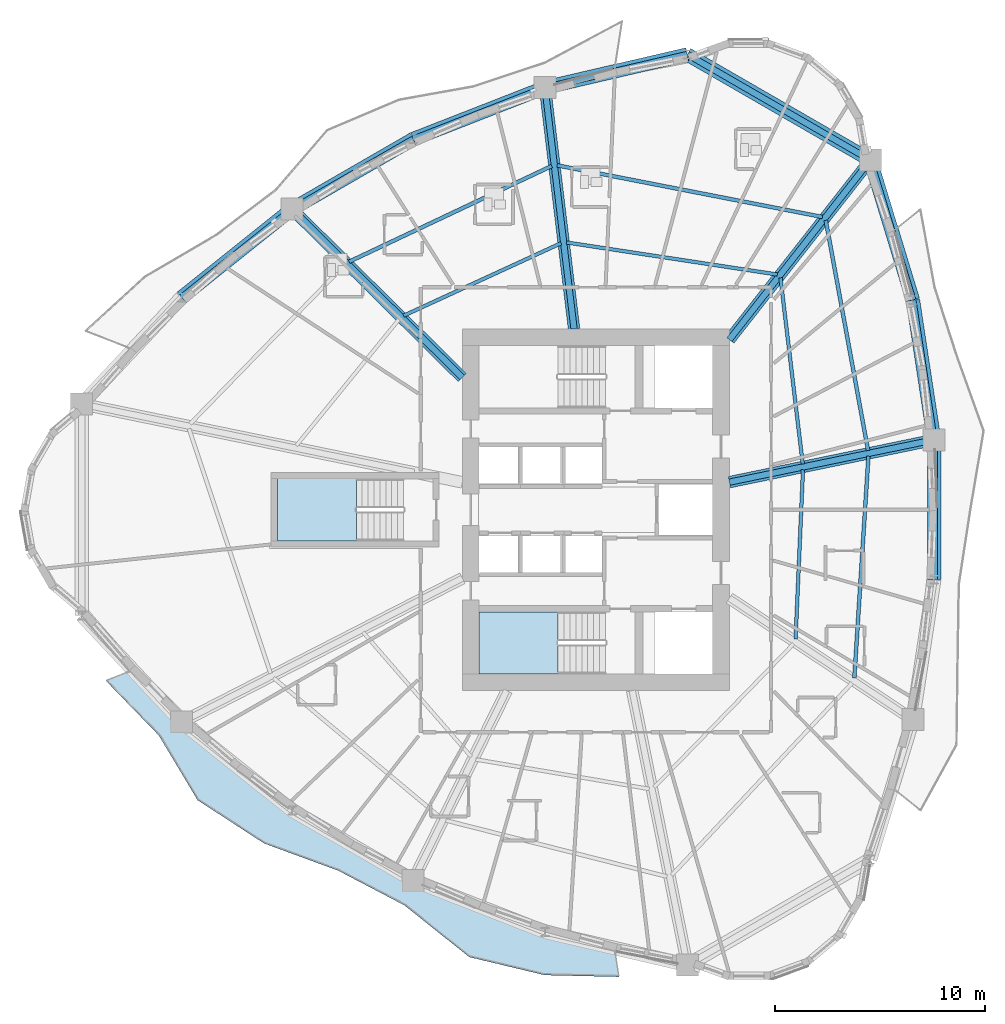
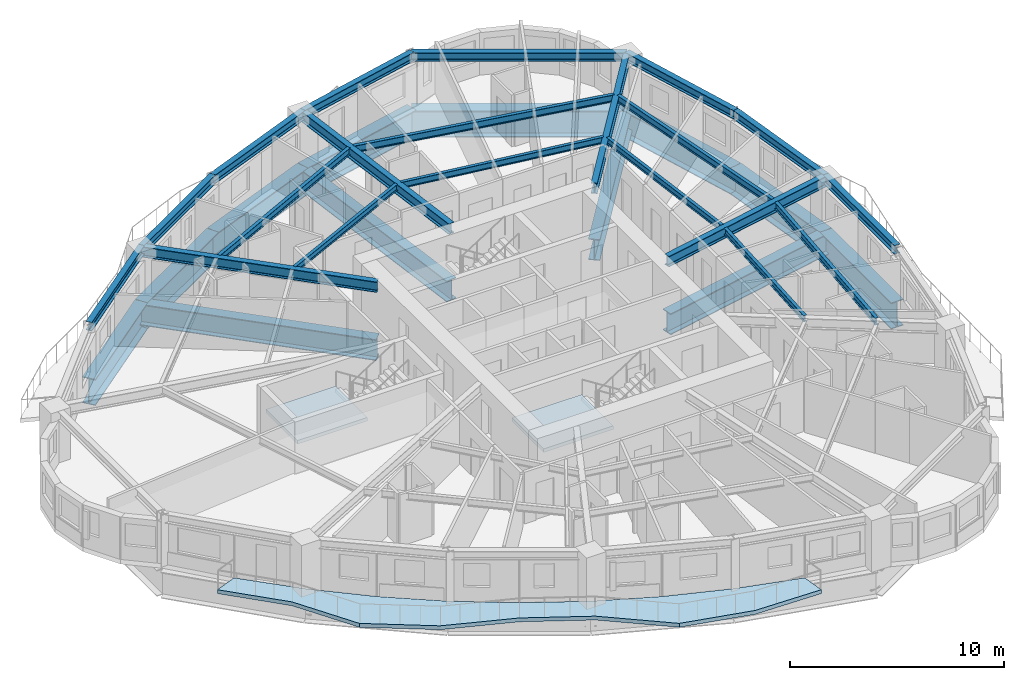
# One storey, part 2 of 14: 32 beams, 3 slabs, 2 elements without a shape of their own.
"""IFC4 building model written with IfcOpenShell, lengths in metres."""

from ifc_helpers import new_model, si_unit, direction, frame, origin, origin_2d, place, context, subcontext, project, spatial, polyline, i_section, outline, extrude, source, transform, mapped, material, layer, layer_set, material_profile, profile_set, type_object, element, aggregate, save


model = new_model("IFC4")

# Units and contexts
model_context = context("Model", 3, precision=1e-05, world=origin(), true_north=direction((0.0, 1.0)))
body_context = subcontext(model_context, "Body", "Model", "MODEL_VIEW")
ifc_project = project(units=[si_unit("LENGTHUNIT", "METRE"), si_unit("AREAUNIT", "SQUARE_METRE"), si_unit("VOLUMEUNIT", "CUBIC_METRE"), si_unit("PLANEANGLEUNIT", "RADIAN"), si_unit("MASSUNIT", "GRAM", prefix="KILO")], contexts=[model_context])

# Site, building, storey
site_placement = place(None, origin())
site = spatial("IfcSite", under=ifc_project, at=site_placement, CompositionType="ELEMENT")
building_placement = place(site_placement, origin())
building = spatial("IfcBuilding", under=site, at=building_placement, Name="Qafzar Sky-Pleat Residences", CompositionType="ELEMENT")
storey_placement = place(building_placement, frame((0.0, 0.0, 7.800048828125)))
storey = spatial("IfcBuildingStorey", under=building, at=storey_placement, Name="L01", CompositionType="ELEMENT", Elevation=7.800048828125)

# Beams
ifc_material_1 = material(Name="Steel S460", Category="steel")
ifc_material_profile_1 = material_profile(ifc_material_1, i_section(OverallWidth=0.64990234375, OverallDepth=1.5, WebThickness=0.031982421875, FlangeThickness=0.050048828125, at=origin_2d()), Name="PG 1500x650x50")
ifc_profile_set_1 = profile_set([ifc_material_profile_1], Name="Steel S460")
beam_type_1 = type_object("IfcBeamType", Name="BM-XFER-PG1500", PredefinedType="BEAM", material=ifc_profile_set_1)
shared_shape_1 = source(origin(), body_context, "Body", "SweptSolid", [
    extrude(i_section(OverallWidth=0.64990234375, OverallDepth=1.5, WebThickness=0.031982421875, FlangeThickness=0.050048828125, at=origin_2d()), origin(), (0.0, 0.0, 1.0), 10.0458984375),
])
beam_1_placement = place(storey_placement, frame((43.39990234375, 42.627685546875, -1.010009765625), z_axis=(-0.866024107753, 0.500002244785, 0.0), x_axis=(-0.500002244785, -0.866024107753, 0.0)))
element("IfcBeam", 1, at=beam_1_placement, inside=storey, type_object=beam_type_1, Name="L01 Perimeter Transfer Ring Girder 13", PredefinedType="BEAM", context=body_context, shape_type="MappedRepresentation", body=[
    mapped(shared_shape_1, transform((0.0, 0.0, 0.0), x_axis=(1.0, 0.0, 0.0), y_axis=(0.0, 1.0, 0.0), z_axis=(0.0, 0.0, 1.0), scale=1.0)),
])
shared_shape_2 = source(origin(), body_context, "Body", "SweptSolid", [
    extrude(i_section(OverallWidth=0.64990234375, OverallDepth=1.5, WebThickness=0.031982421875, FlangeThickness=0.050048828125, at=origin_2d()), origin(), (0.0, 0.0, 1.0), 6.95166015625),
])
for number, where, z_axis, x_axis, name in (
    (2, (45.421875, 35.9765625, -1.010009765625), (-0.290861139852, 0.956765278072, 0.0), (-0.956765278072, -0.290861139852, 0.0), "L01 Perimeter Transfer Ring Girder 12"),
    (3, (34.699951171875, 47.650634765625, -1.010009765625), (-0.974013973113, -0.226487925024, 0.0), (0.226487925024, -0.974013973113, 0.0), "L01 Perimeter Transfer Ring Girder 14"),
):
    element("IfcBeam", number, at=place(storey_placement, frame(where, z_axis=z_axis, x_axis=x_axis)), inside=storey, type_object=beam_type_1, Name=name, PredefinedType="BEAM", context=body_context, shape_type="MappedRepresentation", body=[
        mapped(shared_shape_2, transform((0.0, 0.0, 0.0), x_axis=(1.0, 0.0, 0.0), y_axis=(0.0, 1.0, 0.0), z_axis=(0.0, 0.0, 1.0), scale=1.0)),
    ])
shared_shape_3 = source(origin(), body_context, "Body", "SweptSolid", [
    extrude(i_section(OverallWidth=0.64990234375, OverallDepth=1.5, WebThickness=0.031982421875, FlangeThickness=0.050048828125, at=origin_2d()), origin(), (0.0, 0.0, 1.0), 6.7275390625),
])
for number, where, z_axis, x_axis, name in (
    (4, (46.432861328125, 29.325439453125, -1.010009765625), (-0.150276218199, 0.988644050325, 0.0), (-0.988644050325, -0.150276218199, 0.0), "L01 Perimeter Transfer Ring Girder 11"),
    (5, (15.903564453125, 40.300537109375, -1.010009765625), (-0.781070576736, -0.624442754908, 0.0), (0.624442754908, -0.781070576736, 0.0), "L01 Perimeter Transfer Ring Girder 17"),
):
    element("IfcBeam", number, at=place(storey_placement, frame(where, z_axis=z_axis, x_axis=x_axis)), inside=storey, type_object=beam_type_1, Name=name, PredefinedType="BEAM", context=body_context, shape_type="MappedRepresentation", body=[
        mapped(shared_shape_3, transform((0.0, 0.0, 0.0), x_axis=(1.0, 0.0, 0.0), y_axis=(0.0, 1.0, 0.0), z_axis=(0.0, 0.0, 1.0), scale=1.0)),
    ])
shared_shape_4 = source(origin(), body_context, "Body", "SweptSolid", [
    extrude(i_section(OverallWidth=0.64990234375, OverallDepth=1.5, WebThickness=0.031982421875, FlangeThickness=0.050048828125, at=origin_2d()), origin(), (0.0, 0.0, 1.0), 6.651123046875),
])
beam_2_placement = place(storey_placement, frame((21.66357421875, 43.626220703125, -1.010009765625), z_axis=(-0.866016262799, -0.500015832317, 0.0), x_axis=(0.500015832317, -0.866016262799, 0.0)))
element("IfcBeam", 6, at=beam_2_placement, inside=storey, type_object=beam_type_1, Name="L01 Perimeter Transfer Ring Girder 16", PredefinedType="BEAM", context=body_context, shape_type="MappedRepresentation", body=[
    mapped(shared_shape_4, transform((0.0, 0.0, 0.0), x_axis=(1.0, 0.0, 0.0), y_axis=(0.0, 1.0, 0.0), z_axis=(0.0, 0.0, 1.0), scale=1.0)),
])
shared_shape_5 = source(origin(), body_context, "Body", "SweptSolid", [
    extrude(i_section(OverallWidth=0.64990234375, OverallDepth=1.5, WebThickness=0.031982421875, FlangeThickness=0.050048828125, at=origin_2d()), origin(), (0.0, 0.0, 1.0), 6.727294921875),
])
beam_3_placement = place(storey_placement, frame((27.928955078125, 46.076171875, -1.010009765625), z_axis=(-0.931329494162, -0.364177667222, 0.0), x_axis=(0.364177667222, -0.931329494162, 0.0)))
element("IfcBeam", 7, at=beam_3_placement, inside=storey, type_object=beam_type_1, Name="L01 Perimeter Transfer Ring Girder 15", PredefinedType="BEAM", context=body_context, shape_type="MappedRepresentation", body=[
    mapped(shared_shape_5, transform((0.0, 0.0, 0.0), x_axis=(1.0, 0.0, 0.0), y_axis=(0.0, 1.0, 0.0), z_axis=(0.0, 0.0, 1.0), scale=1.0)),
])
shared_shape_6 = source(origin(), body_context, "Body", "SweptSolid", [
    extrude(i_section(OverallWidth=0.64990234375, OverallDepth=1.5, WebThickness=0.031982421875, FlangeThickness=0.050048828125, at=origin_2d()), origin(), (0.0, 0.0, 1.0), 6.65087890625),
])
beam_4_placement = place(storey_placement, frame((46.432861328125, 22.674560546875, -1.010009765625), z_axis=(0.0, 1.0, 0.0), x_axis=(-1.0, 0.0, 0.0)))
element("IfcBeam", 8, at=beam_4_placement, inside=storey, type_object=beam_type_1, Name="L01 Perimeter Transfer Ring Girder 10", PredefinedType="BEAM", context=body_context, shape_type="MappedRepresentation", body=[
    mapped(shared_shape_6, transform((0.0, 0.0, 0.0), x_axis=(1.0, 0.0, 0.0), y_axis=(0.0, 1.0, 0.0), z_axis=(0.0, 0.0, 1.0), scale=1.0)),
])
ifc_material_profile_2 = material_profile(ifc_material_1, i_section(OverallWidth=0.550048828125, OverallDepth=1.199951171875, WebThickness=0.028076171875, FlangeThickness=0.044921875, at=origin_2d()), Name="PG 1200x550x45")
ifc_profile_set_2 = profile_set([ifc_material_profile_2], Name="Steel S460")
beam_type_2 = type_object("IfcBeamType", Name="BM-XFER-PG1200", PredefinedType="BEAM", material=ifc_profile_set_2)
shared_shape_7 = source(origin(), body_context, "Body", "SweptSolid", [
    extrude(i_section(OverallWidth=0.550048828125, OverallDepth=1.199951171875, WebThickness=0.028076171875, FlangeThickness=0.044921875, at=origin_2d()), origin(), (0.0, 0.0, 1.0), 9.938720703125),
])
beam_5_placement = place(storey_placement, frame((46.432861328125, 29.325439453125, -0.860107421875), z_axis=(-0.979285452618, -0.202484572968, 0.0), x_axis=(0.202484572968, -0.979285452618, 0.0)))
element("IfcBeam", 9, at=beam_5_placement, inside=storey, type_object=beam_type_2, Name="L01 Radial Transfer Girder 6", PredefinedType="BEAM", context=body_context, shape_type="MappedRepresentation", body=[
    mapped(shared_shape_7, transform((0.0, 0.0, 0.0), x_axis=(1.0, 0.0, 0.0), y_axis=(0.0, 1.0, 0.0), z_axis=(0.0, 0.0, 1.0), scale=1.0)),
])
shared_shape_8 = source(origin(), body_context, "Body", "SweptSolid", [
    extrude(i_section(OverallWidth=0.550048828125, OverallDepth=1.199951171875, WebThickness=0.028076171875, FlangeThickness=0.044921875, at=origin_2d()), origin(), (0.0, 0.0, 1.0), 10.85205078125),
])
beam_6_placement = place(storey_placement, frame((43.39990234375, 42.627685546875, -0.860107421875), z_axis=(-0.617389257857, -0.786657806344, 0.0), x_axis=(0.786657806344, -0.617389257857, 0.0)))
element("IfcBeam", 10, at=beam_6_placement, inside=storey, type_object=beam_type_2, Name="L01 Radial Transfer Girder 7", PredefinedType="BEAM", context=body_context, shape_type="MappedRepresentation", body=[
    mapped(shared_shape_8, transform((0.0, 0.0, 0.0), x_axis=(1.0, 0.0, 0.0), y_axis=(0.0, 1.0, 0.0), z_axis=(0.0, 0.0, 1.0), scale=1.0)),
])
shared_shape_9 = source(origin(), body_context, "Body", "SweptSolid", [
    extrude(i_section(OverallWidth=0.550048828125, OverallDepth=1.199951171875, WebThickness=0.028076171875, FlangeThickness=0.044921875, at=origin_2d()), origin(), (0.0, 0.0, 1.0), 11.559326171875),
])
beam_7_placement = place(storey_placement, frame((27.928955078125, 46.076171875, -0.860107421875), z_axis=(0.119734017919, -0.992806005699, 0.0), x_axis=(0.992806005699, 0.119734017919, 0.0)))
element("IfcBeam", 11, at=beam_7_placement, inside=storey, type_object=beam_type_2, Name="L01 Radial Transfer Girder 8", PredefinedType="BEAM", context=body_context, shape_type="MappedRepresentation", body=[
    mapped(shared_shape_9, transform((0.0, 0.0, 0.0), x_axis=(1.0, 0.0, 0.0), y_axis=(0.0, 1.0, 0.0), z_axis=(0.0, 0.0, 1.0), scale=1.0)),
])
shared_shape_10 = source(origin(), body_context, "Body", "SweptSolid", [
    extrude(i_section(OverallWidth=0.550048828125, OverallDepth=1.199951171875, WebThickness=0.028076171875, FlangeThickness=0.044921875, at=origin_2d()), origin(), (0.0, 0.0, 1.0), 11.392333984375),
])
beam_8_placement = place(storey_placement, frame((15.903564453125, 40.300537109375, -0.860107421875), z_axis=(0.71068721601, -0.703508124331, 0.0), x_axis=(0.703508124331, 0.71068721601, 0.0)))
element("IfcBeam", 12, at=beam_8_placement, inside=storey, type_object=beam_type_2, Name="L01 Radial Transfer Girder 9", PredefinedType="BEAM", context=body_context, shape_type="MappedRepresentation", body=[
    mapped(shared_shape_10, transform((0.0, 0.0, 0.0), x_axis=(1.0, 0.0, 0.0), y_axis=(0.0, 1.0, 0.0), z_axis=(0.0, 0.0, 1.0), scale=1.0)),
])
ifc_material_2 = material(Name="Steel S355", Category="steel")
ifc_material_profile_3 = material_profile(ifc_material_2, i_section(OverallWidth=0.300048828125, OverallDepth=0.5, WebThickness=0.014404296875, FlangeThickness=0.028076171875, FilletRadius=0.027099609375, at=origin_2d()), Name="HEB 500")
ifc_profile_set_3 = profile_set([ifc_material_profile_3], Name="Steel S355")
beam_type_3 = type_object("IfcBeamType", Name="BM-SPAN-HEB500", PredefinedType="SPANDREL", material=ifc_profile_set_3)
shared_shape_11 = source(origin(), body_context, "Body", "SweptSolid", [
    extrude(i_section(OverallWidth=0.300048828125, OverallDepth=0.5, WebThickness=0.014404296875, FlangeThickness=0.028076171875, FilletRadius=0.027099609375, at=origin_2d()), origin(), (0.0, 0.0, 1.0), 10.0458984375),
])
beam_9_placement = place(storey_placement, frame((43.39990234375, 42.627685546875, 2.68798828125), z_axis=(-0.866024107753, 0.500002244785, 0.0), x_axis=(-0.500002244785, -0.866024107753, 0.0)))
element("IfcBeam", 13, at=beam_9_placement, inside=storey, type_object=beam_type_3, Name="L01 Perimeter Spandrel Beam 13", PredefinedType="SPANDREL", context=body_context, shape_type="MappedRepresentation", body=[
    mapped(shared_shape_11, transform((0.0, 0.0, 0.0), x_axis=(1.0, 0.0, 0.0), y_axis=(0.0, 1.0, 0.0), z_axis=(0.0, 0.0, 1.0), scale=1.0)),
])
shared_shape_12 = source(origin(), body_context, "Body", "SweptSolid", [
    extrude(i_section(OverallWidth=0.300048828125, OverallDepth=0.5, WebThickness=0.014404296875, FlangeThickness=0.028076171875, FilletRadius=0.027099609375, at=origin_2d()), origin(), (0.0, 0.0, 1.0), 6.95166015625),
])
for number, where, z_axis, x_axis, name in (
    (14, (45.421875, 35.9765625, 2.68798828125), (-0.290861139852, 0.956765278072, 0.0), (-0.956765278072, -0.290861139852, 0.0), "L01 Perimeter Spandrel Beam 12"),
    (15, (34.699951171875, 47.650634765625, 2.68798828125), (-0.974013973113, -0.226487925024, 0.0), (0.226487925024, -0.974013973113, 0.0), "L01 Perimeter Spandrel Beam 14"),
):
    element("IfcBeam", number, at=place(storey_placement, frame(where, z_axis=z_axis, x_axis=x_axis)), inside=storey, type_object=beam_type_3, Name=name, PredefinedType="SPANDREL", context=body_context, shape_type="MappedRepresentation", body=[
        mapped(shared_shape_12, transform((0.0, 0.0, 0.0), x_axis=(1.0, 0.0, 0.0), y_axis=(0.0, 1.0, 0.0), z_axis=(0.0, 0.0, 1.0), scale=1.0)),
    ])
shared_shape_13 = source(origin(), body_context, "Body", "SweptSolid", [
    extrude(i_section(OverallWidth=0.300048828125, OverallDepth=0.5, WebThickness=0.014404296875, FlangeThickness=0.028076171875, FilletRadius=0.027099609375, at=origin_2d()), origin(), (0.0, 0.0, 1.0), 6.7275390625),
])
for number, where, z_axis, x_axis, name in (
    (16, (46.432861328125, 29.325439453125, 2.68798828125), (-0.150276218199, 0.988644050325, 0.0), (-0.988644050325, -0.150276218199, 0.0), "L01 Perimeter Spandrel Beam 11"),
    (17, (15.903564453125, 40.300537109375, 2.68798828125), (-0.781070576736, -0.624442754908, 0.0), (0.624442754908, -0.781070576736, 0.0), "L01 Perimeter Spandrel Beam 17"),
):
    element("IfcBeam", number, at=place(storey_placement, frame(where, z_axis=z_axis, x_axis=x_axis)), inside=storey, type_object=beam_type_3, Name=name, PredefinedType="SPANDREL", context=body_context, shape_type="MappedRepresentation", body=[
        mapped(shared_shape_13, transform((0.0, 0.0, 0.0), x_axis=(1.0, 0.0, 0.0), y_axis=(0.0, 1.0, 0.0), z_axis=(0.0, 0.0, 1.0), scale=1.0)),
    ])
shared_shape_14 = source(origin(), body_context, "Body", "SweptSolid", [
    extrude(i_section(OverallWidth=0.300048828125, OverallDepth=0.5, WebThickness=0.014404296875, FlangeThickness=0.028076171875, FilletRadius=0.027099609375, at=origin_2d()), origin(), (0.0, 0.0, 1.0), 6.651123046875),
])
beam_10_placement = place(storey_placement, frame((21.66357421875, 43.626220703125, 2.68798828125), z_axis=(-0.866016262799, -0.500015832317, 0.0), x_axis=(0.500015832317, -0.866016262799, 0.0)))
element("IfcBeam", 18, at=beam_10_placement, inside=storey, type_object=beam_type_3, Name="L01 Perimeter Spandrel Beam 16", PredefinedType="SPANDREL", context=body_context, shape_type="MappedRepresentation", body=[
    mapped(shared_shape_14, transform((0.0, 0.0, 0.0), x_axis=(1.0, 0.0, 0.0), y_axis=(0.0, 1.0, 0.0), z_axis=(0.0, 0.0, 1.0), scale=1.0)),
])
shared_shape_15 = source(origin(), body_context, "Body", "SweptSolid", [
    extrude(i_section(OverallWidth=0.300048828125, OverallDepth=0.5, WebThickness=0.014404296875, FlangeThickness=0.028076171875, FilletRadius=0.027099609375, at=origin_2d()), origin(), (0.0, 0.0, 1.0), 6.727294921875),
])
beam_11_placement = place(storey_placement, frame((27.928955078125, 46.076171875, 2.68798828125), z_axis=(-0.931329494162, -0.364177667222, 0.0), x_axis=(0.364177667222, -0.931329494162, 0.0)))
element("IfcBeam", 19, at=beam_11_placement, inside=storey, type_object=beam_type_3, Name="L01 Perimeter Spandrel Beam 15", PredefinedType="SPANDREL", context=body_context, shape_type="MappedRepresentation", body=[
    mapped(shared_shape_15, transform((0.0, 0.0, 0.0), x_axis=(1.0, 0.0, 0.0), y_axis=(0.0, 1.0, 0.0), z_axis=(0.0, 0.0, 1.0), scale=1.0)),
])
shared_shape_16 = source(origin(), body_context, "Body", "SweptSolid", [
    extrude(i_section(OverallWidth=0.300048828125, OverallDepth=0.5, WebThickness=0.014404296875, FlangeThickness=0.028076171875, FilletRadius=0.027099609375, at=origin_2d()), origin(), (0.0, 0.0, 1.0), 6.65087890625),
])
beam_12_placement = place(storey_placement, frame((46.432861328125, 22.674560546875, 2.68798828125), z_axis=(0.0, 1.0, 0.0), x_axis=(-1.0, 0.0, 0.0)))
element("IfcBeam", 20, at=beam_12_placement, inside=storey, type_object=beam_type_3, Name="L01 Perimeter Spandrel Beam 10", PredefinedType="SPANDREL", context=body_context, shape_type="MappedRepresentation", body=[
    mapped(shared_shape_16, transform((0.0, 0.0, 0.0), x_axis=(1.0, 0.0, 0.0), y_axis=(0.0, 1.0, 0.0), z_axis=(0.0, 0.0, 1.0), scale=1.0)),
])
ifc_material_profile_4 = material_profile(ifc_material_2, i_section(OverallWidth=0.300048828125, OverallDepth=0.60009765625, WebThickness=0.015380859375, FlangeThickness=0.030029296875, FilletRadius=0.027099609375, at=origin_2d()), Name="HEB 600")
ifc_profile_set_4 = profile_set([ifc_material_profile_4], Name="Steel S355")
beam_type_4 = type_object("IfcBeamType", Name="BM-GIRD-HEB600", PredefinedType="BEAM", material=ifc_profile_set_4)
shared_shape_17 = source(origin(), body_context, "Body", "SweptSolid", [
    extrude(i_section(OverallWidth=0.300048828125, OverallDepth=0.60009765625, WebThickness=0.015380859375, FlangeThickness=0.030029296875, FilletRadius=0.027099609375, at=origin_2d()), origin(), (0.0, 0.0, 1.0), 9.938720703125),
])
beam_13_placement = place(storey_placement, frame((46.432861328125, 29.325439453125, 2.637939453125), z_axis=(-0.979285452618, -0.202484572968, 0.0), x_axis=(0.202484572968, -0.979285452618, 0.0)))
element("IfcBeam", 21, at=beam_13_placement, inside=storey, type_object=beam_type_4, Name="L01 Radial Floor Girder 11", PredefinedType="BEAM", context=body_context, shape_type="MappedRepresentation", body=[
    mapped(shared_shape_17, transform((0.0, 0.0, 0.0), x_axis=(1.0, 0.0, 0.0), y_axis=(0.0, 1.0, 0.0), z_axis=(0.0, 0.0, 1.0), scale=1.0)),
])
shared_shape_18 = source(origin(), body_context, "Body", "SweptSolid", [
    extrude(i_section(OverallWidth=0.300048828125, OverallDepth=0.60009765625, WebThickness=0.015380859375, FlangeThickness=0.030029296875, FilletRadius=0.027099609375, at=origin_2d()), origin(), (0.0, 0.0, 1.0), 10.85205078125),
])
beam_14_placement = place(storey_placement, frame((43.39990234375, 42.627685546875, 2.637939453125), z_axis=(-0.617389257857, -0.786657806344, 0.0), x_axis=(0.786657806344, -0.617389257857, 0.0)))
element("IfcBeam", 22, at=beam_14_placement, inside=storey, type_object=beam_type_4, Name="L01 Radial Floor Girder 13", PredefinedType="BEAM", context=body_context, shape_type="MappedRepresentation", body=[
    mapped(shared_shape_18, transform((0.0, 0.0, 0.0), x_axis=(1.0, 0.0, 0.0), y_axis=(0.0, 1.0, 0.0), z_axis=(0.0, 0.0, 1.0), scale=1.0)),
])
shared_shape_19 = source(origin(), body_context, "Body", "SweptSolid", [
    extrude(i_section(OverallWidth=0.300048828125, OverallDepth=0.60009765625, WebThickness=0.015380859375, FlangeThickness=0.030029296875, FilletRadius=0.027099609375, at=origin_2d()), origin(), (0.0, 0.0, 1.0), 11.559326171875),
])
beam_15_placement = place(storey_placement, frame((27.928955078125, 46.076171875, 2.637939453125), z_axis=(0.119734017919, -0.992806005699, 0.0), x_axis=(0.992806005699, 0.119734017919, 0.0)))
element("IfcBeam", 23, at=beam_15_placement, inside=storey, type_object=beam_type_4, Name="L01 Radial Floor Girder 15", PredefinedType="BEAM", context=body_context, shape_type="MappedRepresentation", body=[
    mapped(shared_shape_19, transform((0.0, 0.0, 0.0), x_axis=(1.0, 0.0, 0.0), y_axis=(0.0, 1.0, 0.0), z_axis=(0.0, 0.0, 1.0), scale=1.0)),
])
shared_shape_20 = source(origin(), body_context, "Body", "SweptSolid", [
    extrude(i_section(OverallWidth=0.300048828125, OverallDepth=0.60009765625, WebThickness=0.015380859375, FlangeThickness=0.030029296875, FilletRadius=0.027099609375, at=origin_2d()), origin(), (0.0, 0.0, 1.0), 11.392333984375),
])
beam_16_placement = place(storey_placement, frame((15.903564453125, 40.300537109375, 2.637939453125), z_axis=(0.71068721601, -0.703508124331, 0.0), x_axis=(0.703508124331, 0.71068721601, 0.0)))
element("IfcBeam", 24, at=beam_16_placement, inside=storey, type_object=beam_type_4, Name="L01 Radial Floor Girder 17", PredefinedType="BEAM", context=body_context, shape_type="MappedRepresentation", body=[
    mapped(shared_shape_20, transform((0.0, 0.0, 0.0), x_axis=(1.0, 0.0, 0.0), y_axis=(0.0, 1.0, 0.0), z_axis=(0.0, 0.0, 1.0), scale=1.0)),
])
ifc_material_profile_5 = material_profile(ifc_material_2, i_section(OverallWidth=0.179931640625, OverallDepth=0.39990234375, WebThickness=0.008544921875, FlangeThickness=0.013427734375, FilletRadius=0.02099609375, at=origin_2d()), Name="IPE 400")
ifc_profile_set_5 = profile_set([ifc_material_profile_5], Name="Steel S355")
beam_type_5 = type_object("IfcBeamType", Name="BM-JST-IPE400", PredefinedType="JOIST", material=ifc_profile_set_5)
shared_shape_21 = source(origin(), body_context, "Body", "SweptSolid", [
    extrude(i_section(OverallWidth=0.179931640625, OverallDepth=0.39990234375, WebThickness=0.008544921875, FlangeThickness=0.013427734375, FilletRadius=0.02099609375, at=origin_2d()), origin(), (0.0, 0.0, 1.0), 10.5625),
])
beam_17_placement = place(storey_placement, frame((42.639404296875, 18.005615234375, 2.738037109375), z_axis=(0.063470442406, 0.997983718775, 0.0), x_axis=(-0.997983718775, 0.063470442406, 0.0)))
element("IfcBeam", 25, at=beam_17_placement, inside=storey, type_object=beam_type_5, Name="L01 Outer Secondary Floor Joist 5", PredefinedType="JOIST", context=body_context, shape_type="MappedRepresentation", body=[
    mapped(shared_shape_21, transform((0.0, 0.0, 0.0), x_axis=(1.0, 0.0, 0.0), y_axis=(0.0, 1.0, 0.0), z_axis=(0.0, 0.0, 1.0), scale=1.0)),
])
shared_shape_22 = source(origin(), body_context, "Body", "SweptSolid", [
    extrude(i_section(OverallWidth=0.179931640625, OverallDepth=0.39990234375, WebThickness=0.008544921875, FlangeThickness=0.013427734375, FilletRadius=0.02099609375, at=origin_2d()), origin(), (0.0, 0.0, 1.0), 11.132568359375),
])
beam_18_placement = place(storey_placement, frame((43.2939453125, 28.814208984375, 2.738037109375), z_axis=(-0.180859333008, 0.98350897386, 0.0), x_axis=(-0.98350897386, -0.180859333008, 0.0)))
element("IfcBeam", 26, at=beam_18_placement, inside=storey, type_object=beam_type_5, Name="L01 Outer Secondary Floor Joist 6", PredefinedType="JOIST", context=body_context, shape_type="MappedRepresentation", body=[
    mapped(shared_shape_22, transform((0.0, 0.0, 0.0), x_axis=(1.0, 0.0, 0.0), y_axis=(0.0, 1.0, 0.0), z_axis=(0.0, 0.0, 1.0), scale=1.0)),
])
shared_shape_23 = source(origin(), body_context, "Body", "SweptSolid", [
    extrude(i_section(OverallWidth=0.179931640625, OverallDepth=0.39990234375, WebThickness=0.008544921875, FlangeThickness=0.013427734375, FilletRadius=0.02099609375, at=origin_2d()), origin(), (0.0, 0.0, 1.0), 12.85595703125),
])
beam_19_placement = place(storey_placement, frame((41.12353515625, 39.921630859375, 2.738037109375), z_axis=(-0.981577813366, 0.191062807233, 0.0), x_axis=(-0.191062807233, -0.981577813366, 0.0)))
element("IfcBeam", 27, at=beam_19_placement, inside=storey, type_object=beam_type_5, Name="L01 Outer Secondary Floor Joist 7", PredefinedType="JOIST", context=body_context, shape_type="MappedRepresentation", body=[
    mapped(shared_shape_23, transform((0.0, 0.0, 0.0), x_axis=(1.0, 0.0, 0.0), y_axis=(0.0, 1.0, 0.0), z_axis=(0.0, 0.0, 1.0), scale=1.0)),
])
shared_shape_24 = source(origin(), body_context, "Body", "SweptSolid", [
    extrude(i_section(OverallWidth=0.179931640625, OverallDepth=0.39990234375, WebThickness=0.008544921875, FlangeThickness=0.013427734375, FilletRadius=0.02099609375, at=origin_2d()), origin(), (0.0, 0.0, 1.0), 10.65478515625),
])
beam_20_placement = place(storey_placement, frame((28.249755859375, 42.34619140625, 2.738037109375), z_axis=(-0.904124253409, -0.427269627282, 0.0), x_axis=(0.427269627282, -0.904124253409, 0.0)))
element("IfcBeam", 28, at=beam_20_placement, inside=storey, type_object=beam_type_5, Name="L01 Outer Secondary Floor Joist 8", PredefinedType="JOIST", context=body_context, shape_type="MappedRepresentation", body=[
    mapped(shared_shape_24, transform((0.0, 0.0, 0.0), x_axis=(1.0, 0.0, 0.0), y_axis=(0.0, 1.0, 0.0), z_axis=(0.0, 0.0, 1.0), scale=1.0)),
])
ifc_material_profile_6 = material_profile(ifc_material_2, i_section(OverallWidth=0.169921875, OverallDepth=0.360107421875, WebThickness=0.008056640625, FlangeThickness=0.0126953125, FilletRadius=0.01806640625, at=origin_2d()), Name="IPE 360")
ifc_profile_set_6 = profile_set([ifc_material_profile_6], Name="Steel S355")
beam_type_6 = type_object("IfcBeamType", Name="BM-JST-IPE360", PredefinedType="JOIST", material=ifc_profile_set_6)
shared_shape_25 = source(origin(), body_context, "Body", "SweptSolid", [
    extrude(i_section(OverallWidth=0.169921875, OverallDepth=0.360107421875, WebThickness=0.008056640625, FlangeThickness=0.0126953125, FilletRadius=0.01806640625, at=origin_2d()), origin(), (0.0, 0.0, 1.0), 8.05712890625),
])
beam_21_placement = place(storey_placement, frame((39.845703125, 19.853271484375, 2.758056640625), z_axis=(0.043725201972, 0.999043596002, 0.0), x_axis=(-0.999043596002, 0.043725201972, 0.0)))
element("IfcBeam", 29, at=beam_21_placement, inside=storey, type_object=beam_type_6, Name="L01 Inner Secondary Floor Joist 5", PredefinedType="JOIST", context=body_context, shape_type="MappedRepresentation", body=[
    mapped(shared_shape_25, transform((0.0, 0.0, 0.0), x_axis=(1.0, 0.0, 0.0), y_axis=(0.0, 1.0, 0.0), z_axis=(0.0, 0.0, 1.0), scale=1.0)),
])
shared_shape_26 = source(origin(), body_context, "Body", "SweptSolid", [
    extrude(i_section(OverallWidth=0.169921875, OverallDepth=0.360107421875, WebThickness=0.008056640625, FlangeThickness=0.0126953125, FilletRadius=0.01806640625, at=origin_2d()), origin(), (0.0, 0.0, 1.0), 8.921875),
])
beam_22_placement = place(storey_placement, frame((40.187744140625, 28.17138671875, 2.758056640625), z_axis=(-0.118789129657, 0.99291950463, 0.0), x_axis=(-0.99291950463, -0.118789129657, 0.0)))
element("IfcBeam", 30, at=beam_22_placement, inside=storey, type_object=beam_type_6, Name="L01 Inner Secondary Floor Joist 6", PredefinedType="JOIST", context=body_context, shape_type="MappedRepresentation", body=[
    mapped(shared_shape_26, transform((0.0, 0.0, 0.0), x_axis=(1.0, 0.0, 0.0), y_axis=(0.0, 1.0, 0.0), z_axis=(0.0, 0.0, 1.0), scale=1.0)),
])
shared_shape_27 = source(origin(), body_context, "Body", "SweptSolid", [
    extrude(i_section(OverallWidth=0.169921875, OverallDepth=0.360107421875, WebThickness=0.008056640625, FlangeThickness=0.0126953125, FilletRadius=0.01806640625, at=origin_2d()), origin(), (0.0, 0.0, 1.0), 10.145751953125),
])
beam_23_placement = place(storey_placement, frame((38.978515625, 37.1845703125, 2.758056640625), z_axis=(-0.988614946875, 0.150467560676, 0.0), x_axis=(-0.150467560676, -0.988614946875, 0.0)))
element("IfcBeam", 31, at=beam_23_placement, inside=storey, type_object=beam_type_6, Name="L01 Inner Secondary Floor Joist 7", PredefinedType="JOIST", context=body_context, shape_type="MappedRepresentation", body=[
    mapped(shared_shape_27, transform((0.0, 0.0, 0.0), x_axis=(1.0, 0.0, 0.0), y_axis=(0.0, 1.0, 0.0), z_axis=(0.0, 0.0, 1.0), scale=1.0)),
])
shared_shape_28 = source(origin(), body_context, "Body", "SweptSolid", [
    extrude(i_section(OverallWidth=0.169921875, OverallDepth=0.360107421875, WebThickness=0.008056640625, FlangeThickness=0.0126953125, FilletRadius=0.01806640625, at=origin_2d()), origin(), (0.0, 0.0, 1.0), 8.23974609375),
])
beam_24_placement = place(storey_placement, frame((28.692138671875, 38.6748046875, 2.758056640625), z_axis=(-0.908291238387, -0.418338411182, 0.0), x_axis=(0.418338411182, -0.908291238387, 0.0)))
element("IfcBeam", 32, at=beam_24_placement, inside=storey, type_object=beam_type_6, Name="L01 Inner Secondary Floor Joist 8", PredefinedType="JOIST", context=body_context, shape_type="MappedRepresentation", body=[
    mapped(shared_shape_28, transform((0.0, 0.0, 0.0), x_axis=(1.0, 0.0, 0.0), y_axis=(0.0, 1.0, 0.0), z_axis=(0.0, 0.0, 1.0), scale=1.0)),
])

# Slab
ifc_material_3 = material(Name="Concrete C40/50", Category="concrete")
ifc_layer_1 = layer(ifc_material_3, 0.219970703125)
ifc_layer_set_1 = layer_set([ifc_layer_1], Name="Concrete C40/50")
slab_type_1 = type_object("IfcSlabType", Name="SLAB-BAL-220", PredefinedType="USERDEFINED", material=ifc_layer_set_1)
slab_1_placement = place(storey_placement, frame((0.0, 0.0, -0.219970703125)))
element("IfcSlab", 33, at=slab_1_placement, inside=storey, type_object=slab_type_1, Name="L01 Pleated Stone Balcony 3", ObjectType="BALCONY", PredefinedType="USERDEFINED", context=body_context, shape_type="SweptSolid", body=[
    extrude(outline(polyline([(10.638671875, 15.89453125), (13.203857421875, 13.682861328125), (15.89599609375, 11.690185546875), (18.71435546875, 9.916748046875), (21.659423828125, 8.362548828125), (24.731201171875, 7.027587890625), (27.928955078125, 5.911865234375), (31.253173828125, 5.015380859375), (31.44287109375, 3.7919921875), (27.921875, 3.873779296875), (24.335205078125, 4.730712890625), (21.24072265625, 7.197509765625), (18.095458984375, 8.8447265625), (14.57958984375, 10.13427734375), (11.41259765625, 12.191650390625), (9.568603515625, 15.271728515625), (7.0458984375, 17.87744140625), (8.2001953125, 18.324951171875), (10.638671875, 15.89453125)])), origin(), (0.0, 0.0, 1.0), 0.219970703125),
])

# Stair, slab
stair_type = type_object("IfcStairType", Name="STAIR-H320", PredefinedType="HALF_TURN_STAIR", material=ifc_material_3)
stair_1_placement = place(storey_placement, origin())
stair_1 = element("IfcStair", 34, at=stair_1_placement, inside=storey, type_object=stair_type, Name="L01 Protected Exit Stair ST1", PredefinedType="HALF_TURN_STAIR")
ifc_layer_2 = layer(ifc_material_3, 0.199951171875)
ifc_layer_set_2 = layer_set([ifc_layer_2], Name="Concrete C40/50")
slab_type_2 = type_object("IfcSlabType", Name="SLAB-LANDING-200", PredefinedType="LANDING", material=ifc_layer_set_2)
slab_2_placement = place(storey_placement, frame((0.0, 0.0, 1.39990234375)))
slab_2 = element("IfcSlab", 35, at=slab_2_placement, type_object=slab_type_2, Name="ST1 landing 1", PredefinedType="LANDING", context=body_context, shape_type="SweptSolid", body=[
    extrude(outline(polyline([(28.56005859375, 21.14990234375), (24.800048828125, 21.14990234375), (24.800048828125, 18.199951171875), (28.56005859375, 18.199951171875), (28.56005859375, 21.14990234375)])), origin(), (0.0, 0.0, 1.0), 0.199951171875),
])
aggregate(stair_1, [slab_2])

stair_2_placement = place(storey_placement, origin())
stair_2 = element("IfcStair", 36, at=stair_2_placement, inside=storey, type_object=stair_type, Name="L01 Protected Exit Stair ST3", PredefinedType="HALF_TURN_STAIR")
slab_3_placement = place(storey_placement, frame((0.0, 0.0, 1.39990234375)))
slab_3 = element("IfcSlab", 37, at=slab_3_placement, type_object=slab_type_2, Name="ST3 landing 1", PredefinedType="LANDING", context=body_context, shape_type="SweptSolid", body=[
    extrude(outline(polyline([(18.9599609375, 27.47509765625), (15.199951171875, 27.47509765625), (15.199951171875, 24.52490234375), (18.9599609375, 24.52490234375), (18.9599609375, 27.47509765625)])), origin(), (0.0, 0.0, 1.0), 0.199951171875),
])
aggregate(stair_2, [slab_3])

save(model, "model.ifc")
